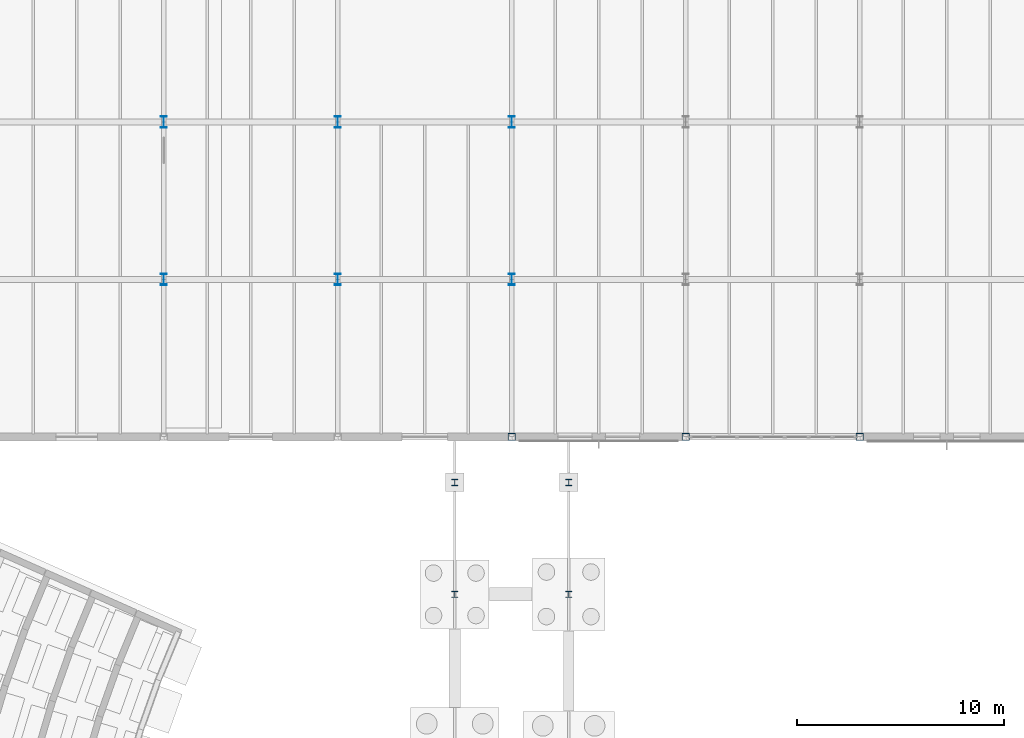
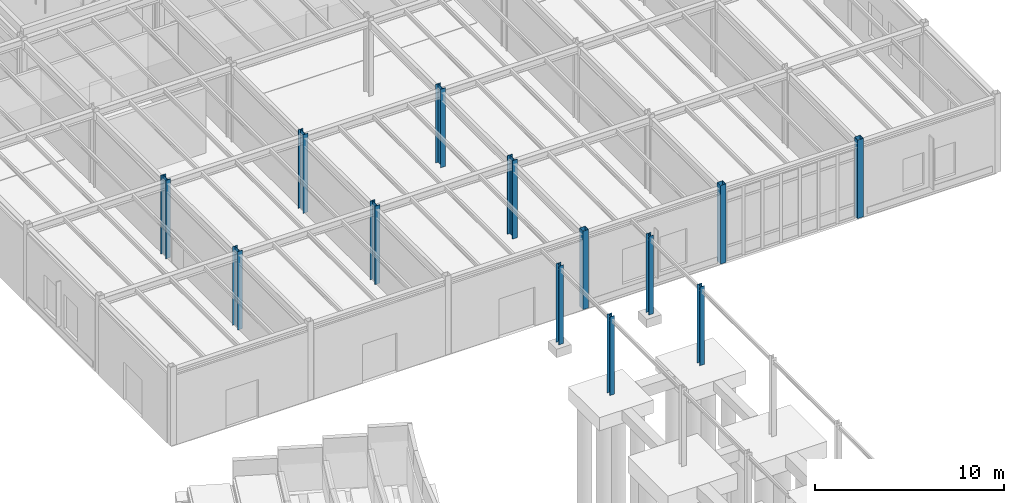
# One storey, part 17 of 109: 13 columns.
"""IFC4 building model written with IfcOpenShell, lengths in metres."""

import ifcopenshell
import ifcopenshell.guid

model = None  # the IFC model being written
_history = None  # IfcOwnerHistory: only IFC2X3 demands one
_inside = {}  # id of a spatial element -> (the spatial element, [elements in it])
_under = {}  # id of a project, library or spatial element -> (it, [spatial elements below it])
_declared = {}  # id of a project -> (the project, [libraries it declares])
_typed = {}  # id of a type object -> (the type object, [elements of that type])
_made_of = {}  # id of a material, layer set ... -> (it, [elements and type objects made of it])


def new_model(schema):
    """Start an empty IFC model of exactly this schema.

    Asked for "IFC4X3", IfcOpenShell would pick the latest addendum, in which some entities
    have other attributes; the version numbers below select the first issue.
    IFC2X3 requires an IfcOwnerHistory on every rooted entity: one is made here for all.
    """
    global model, _history
    if schema == "IFC4X3":
        model = ifcopenshell.file(schema_version=(4, 3, 0, 0))
    else:
        model = ifcopenshell.file(schema=schema)
    _inside.clear()
    _under.clear()
    _declared.clear()
    _typed.clear()
    _made_of.clear()
    _history = None
    if model.schema == "IFC2X3":
        org = make("IfcOrganization", Name="unknown")
        user = make(
            "IfcPersonAndOrganization",
            ThePerson=make("IfcPerson", FamilyName="unknown"),
            TheOrganization=org,
        )
        app = make(
            "IfcApplication",
            ApplicationDeveloper=org,
            Version="unknown",
            ApplicationFullName="unknown",
            ApplicationIdentifier="unknown",
        )
        _history = make(
            "IfcOwnerHistory",
            OwningUser=user,
            OwningApplication=app,
            ChangeAction="ADDED",
            CreationDate=0,
        )
    return model


def make(cls, **values):
    """One entity of the class cls with the attributes given. An attribute that is None is left unset."""
    return model.create_entity(
        cls, **{name: value for name, value in values.items() if value is not None}
    )


def rooted(cls, **values):
    """An entity with a GlobalId (a new one), such as an element, a storey or a relation."""
    return make(cls, GlobalId=ifcopenshell.guid.new(), OwnerHistory=_history, **values)


def si_unit(unit_type, name, prefix=None):
    """IfcSIUnit, for example si_unit("LENGTHUNIT", "METRE", prefix="MILLI")."""
    return make("IfcSIUnit", UnitType=unit_type, Prefix=prefix, Name=name)


def assignment(units):
    """IfcUnitAssignment: the units of a project."""
    return None if units is None else make("IfcUnitAssignment", Units=units)


def point(xyz):
    """IfcCartesianPoint."""
    return None if xyz is None else make("IfcCartesianPoint", Coordinates=xyz)


def direction(xyz):
    """IfcDirection."""
    return None if xyz is None else make("IfcDirection", DirectionRatios=xyz)


def frame(location, z_axis=None, x_axis=None):
    """IfcAxis2Placement3D, a coordinate frame: its origin and axes. An axis left out is left unset."""
    return make(
        "IfcAxis2Placement3D",
        Location=point(location),
        Axis=direction(z_axis),
        RefDirection=direction(x_axis),
    )


def frame_2d(location, x_axis=None):
    """IfcAxis2Placement2D, a coordinate frame in the plane: its origin and x axis."""
    return make(
        "IfcAxis2Placement2D", Location=point(location), RefDirection=direction(x_axis)
    )


def origin():
    """The frame at (0, 0, 0) with its axes left unset."""
    return frame((0.0, 0.0, 0.0))


def origin_2d():
    """The frame at (0, 0) in the plane with its x axis left unset."""
    return frame_2d((0.0, 0.0))


def place(relative_to, where):
    """IfcLocalPlacement: puts the frame where relative to a parent placement (None: the world)."""
    return make(
        "IfcLocalPlacement", PlacementRelTo=relative_to, RelativePlacement=where
    )


def context(
    kind, dimensions, precision=None, world=None, true_north=None, identifier=None
):
    """IfcGeometricRepresentationContext, for example the 3D "Model" context."""
    return make(
        "IfcGeometricRepresentationContext",
        ContextIdentifier=identifier,
        ContextType=kind,
        CoordinateSpaceDimension=dimensions,
        Precision=precision,
        WorldCoordinateSystem=world,
        TrueNorth=true_north,
    )


def subcontext(parent, identifier, kind, view, scale=None):
    """IfcGeometricRepresentationSubContext, for example "Body" below "Model"."""
    return make(
        "IfcGeometricRepresentationSubContext",
        ContextIdentifier=identifier,
        ContextType=kind,
        ParentContext=parent,
        TargetScale=scale,
        TargetView=view,
    )


def project(units=None, contexts=None):
    """IfcProject with its units and contexts."""
    return rooted(
        "IfcProject",
        Name="project",
        RepresentationContexts=contexts,
        UnitsInContext=assignment(units),
    )


def spatial(cls, under=None, at=None, **own):
    """A site, building, storey or space (cls), placed at a placement, below another one or the project."""
    s = rooted(cls, ObjectPlacement=at, **own)
    if under is not None:
        _under.setdefault(under.id(), (under, []))[1].append(s)
    return s


def profile(cls, at=None, kind="AREA", **sizes):
    """A parametric profile (cls). Its sizes go by their IFC names, for example OverallWidth=200.0."""
    return make(cls, ProfileType=kind, Position=at, **sizes)


def hollow_rectangle(**sizes):
    """IfcRectangleHollowProfileDef."""
    return profile("IfcRectangleHollowProfileDef", **sizes)


def i_section(**sizes):
    """IfcIShapeProfileDef."""
    return profile("IfcIShapeProfileDef", **sizes)


def extrude(swept, where, along, depth):
    """IfcExtrudedAreaSolid: the profile swept, set in the frame where, extruded along a direction by depth."""
    return make(
        "IfcExtrudedAreaSolid",
        SweptArea=swept,
        Position=where,
        ExtrudedDirection=direction(along),
        Depth=depth,
    )


def shape(context_of_items, identifier, shape_type, items):
    """IfcShapeRepresentation: the items that make up one representation, for example the "Body"."""
    return make(
        "IfcShapeRepresentation",
        ContextOfItems=context_of_items,
        RepresentationIdentifier=identifier,
        RepresentationType=shape_type,
        Items=items,
    )


def material(Name=None, Category=None):
    """IfcMaterial."""
    return make("IfcMaterial", Name=Name, Category=Category)


def material_profile(
    of_material, cross_section, Name=None, Category=None, Priority=None
):
    """IfcMaterialProfile: a cross section and its material."""
    return make(
        "IfcMaterialProfile",
        Name=Name,
        Material=of_material,
        Profile=cross_section,
        Priority=Priority,
        Category=Category,
    )


def profile_set(profiles, Name=None, composite=None):
    """IfcMaterialProfileSet."""
    return make(
        "IfcMaterialProfileSet",
        Name=Name,
        MaterialProfiles=profiles,
        CompositeProfile=composite,
    )


def made_of(thing, what):
    """Note that an element or type object is made of a material, layer set ...; save() writes the relation."""
    if what is not None:
        _made_of.setdefault(what.id(), (what, []))[1].append(thing)
    return thing


def type_object(cls, material=None, **own):
    """A type object (cls), such as IfcWallType, which elements share."""
    return made_of(rooted(cls, **own), material)


def element(
    cls,
    number,
    at=None,
    inside=None,
    cuts=None,
    type_object=None,
    material=None,
    context=None,
    identifier="Body",
    shape_type=None,
    held_by="IfcProductDefinitionShape",
    body=None,
    shapes=None,
    **own,
):
    """One element of the class cls, such as IfcWall. Its Tag is "e" and its number.

    at: its placement. inside: the storey or other place that contains it. cuts: it is an
    opening in that element (IfcRelVoidsElement). A single representation is given by context,
    identifier, shape_type and body (its items); several are given by shapes. held_by: the class
    of the entity that holds the representations. save() writes the other relations.
    """
    e = rooted(cls, Tag="e%d" % number, ObjectPlacement=at, **own)
    if body is not None:
        shapes = [shape(context, identifier, shape_type, body)]
    if shapes is not None:
        e.Representation = make(held_by, Representations=shapes)
    if inside is not None:
        _inside.setdefault(inside.id(), (inside, []))[1].append(e)
    if cuts is not None:
        rooted(
            "IfcRelVoidsElement", RelatingBuildingElement=cuts, RelatedOpeningElement=e
        )
    if type_object is not None:
        _typed.setdefault(type_object.id(), (type_object, []))[1].append(e)
    return made_of(e, material)


def aggregate(whole, parts):
    """IfcRelAggregates: a whole, such as a stair, and the parts it consists of."""
    return rooted("IfcRelAggregates", RelatingObject=whole, RelatedObjects=parts)


def save(model, path):
    """Write the relations noted so far, then the file.

    IfcRelAggregates (storeys below a building ...), IfcRelContainedInSpatialStructure (elements
    in a storey), IfcRelDefinesByType, IfcRelAssociatesMaterial and IfcRelDeclares: one each for
    every whole, place, type object, material and project.
    """
    for whole, parts in _under.values():
        aggregate(whole, parts)
    for where, things in _inside.values():
        rooted(
            "IfcRelContainedInSpatialStructure",
            RelatedElements=things,
            RelatingStructure=where,
        )
    for kind, things in _typed.values():
        rooted("IfcRelDefinesByType", RelatedObjects=things, RelatingType=kind)
    for what, things in _made_of.values():
        rooted("IfcRelAssociatesMaterial", RelatedObjects=things, RelatingMaterial=what)
    for by, libraries in _declared.values():
        rooted("IfcRelDeclares", RelatingContext=by, RelatedDefinitions=libraries)
    model.write(path)


model = new_model("IFC4")

# Units and contexts
model_context = context("Model", 3, precision=1e-05, world=origin(), true_north=direction((0.0, 1.0)))
body_context = subcontext(model_context, "Body", "Model", "MODEL_VIEW")
ifc_project = project(units=[si_unit("LENGTHUNIT", "METRE"), si_unit("AREAUNIT", "SQUARE_METRE"), si_unit("VOLUMEUNIT", "CUBIC_METRE"), si_unit("PLANEANGLEUNIT", "RADIAN"), si_unit("MASSUNIT", "GRAM", prefix="KILO")], contexts=[model_context])

# Site, building, storey
site_placement = place(None, origin())
site = spatial("IfcSite", under=ifc_project, at=site_placement, CompositionType="ELEMENT")
building_placement = place(site_placement, origin())
building = spatial("IfcBuilding", under=site, at=building_placement, Name="Montecoro Central Library", CompositionType="ELEMENT")
storey_placement = place(building_placement, origin())
storey = spatial("IfcBuildingStorey", under=building, at=storey_placement, Name="L00", CompositionType="ELEMENT", Elevation=0.0)

# Columns
ifc_material_1 = material(Name="Steel S355", Category="steel")
ifc_material_profile_1 = material_profile(ifc_material_1, i_section(OverallWidth=0.300048828125, OverallDepth=0.300048828125, WebThickness=0.010986328125, FlangeThickness=0.01904296875, at=origin_2d()), Name="HEB 300")
ifc_profile_set_1 = profile_set([ifc_material_profile_1], Name="Steel S355")
column_type_1 = type_object("IfcColumnType", Name="COL-HEB300", PredefinedType="COLUMN", material=ifc_profile_set_1)
for number, where, z_axis, x_axis, name in (
    (1, (88.85009765625, 73.39990234375, 0.0), (0.0, 0.0, 1.0), (1.0, 0.0, 0.0), "BR-N-L00-COL-888-734"),
    (2, (94.35009765625, 73.39990234375, 0.0), (0.0, 0.0, 1.0), (1.0, 0.0, 0.0), "BR-N-L00-COL-943-734"),
    (3, (88.85009765625, 78.800048828125, 0.0), (0.0, 0.0, 1.0), (1.0, 0.0, 0.0), "BR-N-L00-COL-888-788"),
    (4, (94.35009765625, 78.800048828125, 0.0), (0.0, 0.0, 1.0), (1.0, 0.0, 0.0), "BR-N-L00-COL-943-788"),
):
    element("IfcColumn", number, at=place(storey_placement, frame(where, z_axis=z_axis, x_axis=x_axis)), inside=storey, type_object=column_type_1, Name=name, PredefinedType="COLUMN", context=body_context, shape_type="SweptSolid", body=[
        extrude(i_section(OverallWidth=0.300048828125, OverallDepth=0.300048828125, WebThickness=0.010986328125, FlangeThickness=0.01904296875, at=origin_2d()), origin(), (0.0, 0.0, 1.0), 5.074951171875),
    ])
ifc_material_2 = material(Name="Steel S355J2", Category="steel")
ifc_material_profile_2 = material_profile(ifc_material_2, i_section(OverallWidth=0.300048828125, OverallDepth=0.550048828125, WebThickness=0.014892578125, FlangeThickness=0.029052734375, at=origin_2d()), Name="HEB 550")
ifc_profile_set_2 = profile_set([ifc_material_profile_2], Name="Steel S355J2")
column_type_2 = type_object("IfcColumnType", Name="COL-HEB550", PredefinedType="COLUMN", material=ifc_profile_set_2)
for number, where, z_axis, x_axis, name in (
    (5, (74.800048828125, 88.60009765625, 0.0), (0.0, 0.0, 1.0), (1.0, 0.0, 0.0), "V2-L00-COL-10-M"),
    (6, (74.800048828125, 96.199951171875, 0.0), (0.0, 0.0, 1.0), (1.0, 0.0, 0.0), "V2-L00-COL-10-N"),
    (7, (83.199951171875, 88.60009765625, 0.0), (0.0, 0.0, 1.0), (1.0, 0.0, 0.0), "V2-L00-COL-11-M"),
    (8, (83.199951171875, 96.199951171875, 0.0), (0.0, 0.0, 1.0), (1.0, 0.0, 0.0), "V2-L00-COL-11-N"),
    (9, (91.60009765625, 88.60009765625, 0.0), (0.0, 0.0, 1.0), (1.0, 0.0, 0.0), "V2-L00-COL-12-M"),
    (10, (91.60009765625, 96.199951171875, 0.0), (0.0, 0.0, 1.0), (1.0, 0.0, 0.0), "V2-L00-COL-12-N"),
):
    element("IfcColumn", number, at=place(storey_placement, frame(where, z_axis=z_axis, x_axis=x_axis)), inside=storey, type_object=column_type_2, Name=name, PredefinedType="COLUMN", context=body_context, shape_type="SweptSolid", body=[
        extrude(i_section(OverallWidth=0.300048828125, OverallDepth=0.550048828125, WebThickness=0.014892578125, FlangeThickness=0.029052734375, at=origin_2d()), origin(), (0.0, 0.0, 1.0), 5.074951171875),
    ])
ifc_material_profile_3 = material_profile(ifc_material_2, hollow_rectangle(XDim=0.35009765625, YDim=0.35009765625, WallThickness=0.01416015625, at=origin_2d()), Name="SHS 350x350x14.2")
ifc_profile_set_3 = profile_set([ifc_material_profile_3], Name="Steel S355J2")
column_type_3 = type_object("IfcColumnType", Name="COL-SHS350", PredefinedType="COLUMN", material=ifc_profile_set_3)
for number, where, z_axis, x_axis, name in (
    (11, (91.60009765625, 81.0, 0.0), (0.0, 0.0, 1.0), (1.0, 0.0, 0.0), "V2-L00-COL-12-L"),
    (12, (100.0, 81.0, 0.0), (0.0, 0.0, 1.0), (1.0, 0.0, 0.0), "V2-L00-COL-13-L"),
    (13, (108.39990234375, 81.0, 0.0), (0.0, 0.0, 1.0), (1.0, 0.0, 0.0), "V2-L00-COL-14-L"),
):
    element("IfcColumn", number, at=place(storey_placement, frame(where, z_axis=z_axis, x_axis=x_axis)), inside=storey, type_object=column_type_3, Name=name, PredefinedType="COLUMN", context=body_context, shape_type="SweptSolid", body=[
        extrude(hollow_rectangle(XDim=0.35009765625, YDim=0.35009765625, WallThickness=0.01416015625, at=origin_2d()), origin(), (0.0, 0.0, 1.0), 5.074951171875),
    ])

save(model, "model.ifc")
